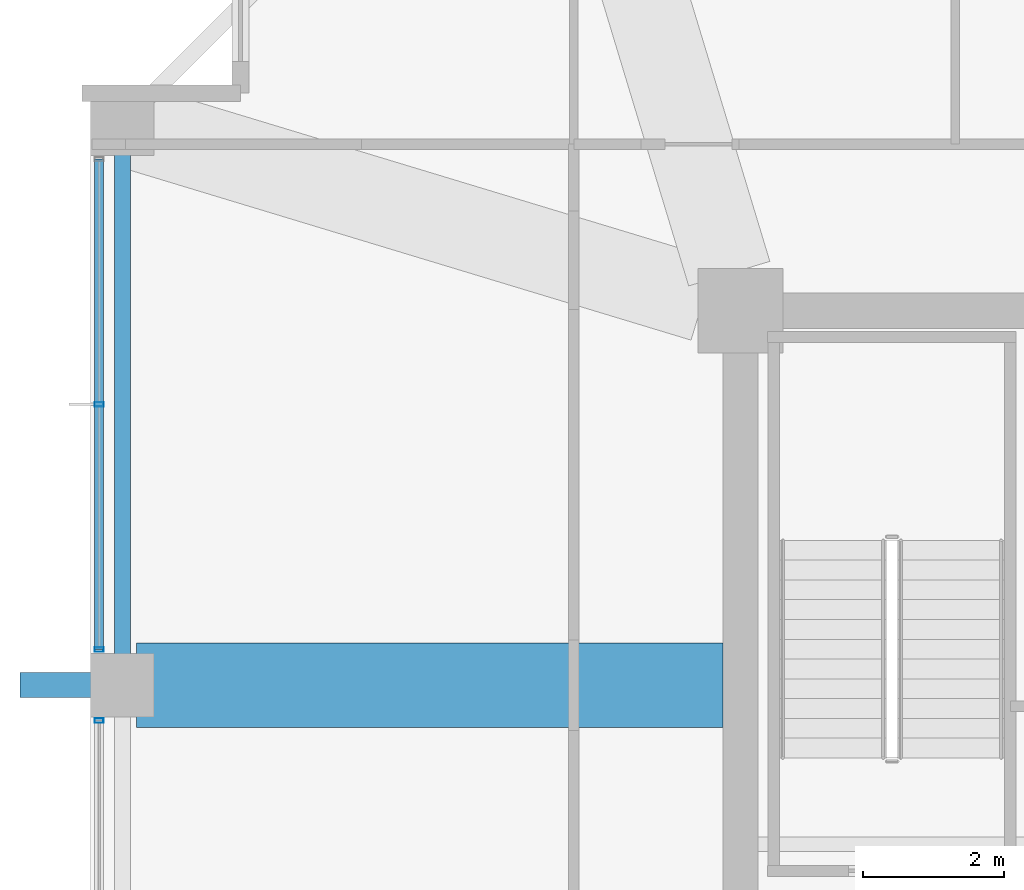
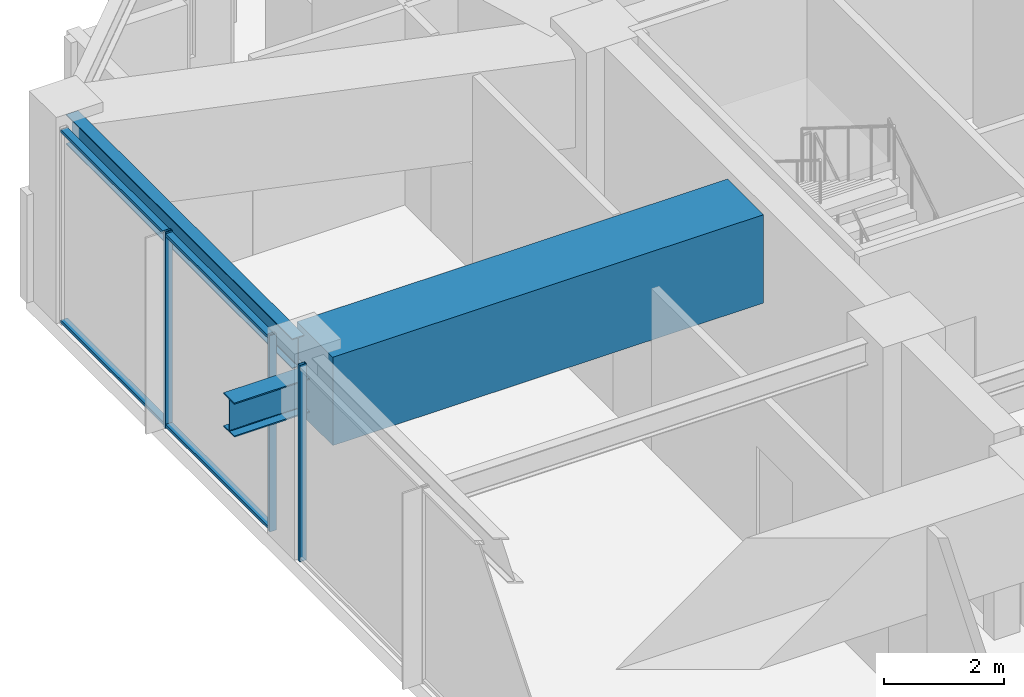
# One storey, part 10 of 33: 5 members, 3 beams, 2 elements without a shape of their own.
"""IFC4 building model written with IfcOpenShell, lengths in metres."""

from ifc_helpers import new_model, si_unit, direction, frame, origin, origin_2d, place, context, subcontext, project, spatial, rectangle, hollow_rectangle, i_section, extrude, material, material_profile, profile_set, type_object, element, aggregate, save


model = new_model("IFC4")

# Units and contexts
model_context = context("Model", 3, precision=1e-05, world=origin(), true_north=direction((0.0, 1.0)))
body_context = subcontext(model_context, "Body", "Model", "MODEL_VIEW")
ifc_project = project(units=[si_unit("LENGTHUNIT", "METRE"), si_unit("AREAUNIT", "SQUARE_METRE"), si_unit("VOLUMEUNIT", "CUBIC_METRE"), si_unit("PLANEANGLEUNIT", "RADIAN"), si_unit("MASSUNIT", "GRAM", prefix="KILO")], contexts=[model_context])

# Site, building, storey
site_placement = place(None, origin())
site = spatial("IfcSite", under=ifc_project, at=site_placement, CompositionType="ELEMENT")
building_placement = place(site_placement, origin())
building = spatial("IfcBuilding", under=site, at=building_placement, Name="Kolvaren Belvedere", CompositionType="ELEMENT")
storey_placement = place(building_placement, frame((0.0, 0.0, 152.699951171875)))
storey = spatial("IfcBuildingStorey", under=building, at=storey_placement, Name="L44", CompositionType="ELEMENT", Elevation=152.699951171875)

# Beams
ifc_material_1 = material(Name="Structural steel ASTM A992 Grade 50", Category="steel")
ifc_material_profile_1 = material_profile(ifc_material_1, i_section(OverallWidth=0.35498046875, OverallDepth=0.696044921875, WebThickness=0.015380859375, FlangeThickness=0.02490234375, FilletRadius=0.02197265625, at=origin_2d()), Name="W27X146")
ifc_profile_set_1 = profile_set([ifc_material_profile_1], Name="Structural steel ASTM A992 Grade 50")
beam_type_1 = type_object("IfcBeamType", Name="BM-CANT-BAL", PredefinedType="BEAM", material=ifc_profile_set_1)
beam_1_placement = place(storey_placement, frame((-18.64990234375, 4.60009765625, 3.0419921875), z_axis=(-1.0, 0.0, 0.0), x_axis=(0.0, -1.0, 0.0)))
element("IfcBeam", 1, at=beam_1_placement, inside=storey, type_object=beam_type_1, Name="L44 West Picture-Frame Column Corbel P", PredefinedType="BEAM", context=body_context, shape_type="SweptSolid", body=[
    extrude(i_section(OverallWidth=0.35498046875, OverallDepth=0.696044921875, WebThickness=0.015380859375, FlangeThickness=0.02490234375, FilletRadius=0.02197265625, at=origin_2d()), origin(), (0.0, 0.0, 1.0), 1.4501953125),
])
ifc_material_2 = material(Name="Structural steel ASTM A992 Grade 50", Category="steel")
ifc_material_profile_2 = material_profile(ifc_material_2, i_section(OverallWidth=0.22900390625, OverallDepth=0.612060546875, WebThickness=0.011962890625, FlangeThickness=0.01953125, FilletRadius=0.01806640625, at=origin_2d()), Name="W24X84")
ifc_profile_set_2 = profile_set([ifc_material_profile_2], Name="Structural steel ASTM A992 Grade 50")
beam_type_2 = type_object("IfcBeamType", Name="BM-SPAN-W24X84", PredefinedType="SPANDREL", material=ifc_profile_set_2)
beam_2_placement = place(storey_placement, frame((-18.64990234375, 12.347412109375, 3.694091796875), z_axis=(0.0, -1.0, 0.0), x_axis=(1.0, 0.0, 0.0)))
element("IfcBeam", 2, at=beam_2_placement, inside=storey, type_object=beam_type_2, Name="L44 Perimeter Spandrel W4-W3", PredefinedType="SPANDREL", context=body_context, shape_type="SweptSolid", body=[
    extrude(i_section(OverallWidth=0.22900390625, OverallDepth=0.612060546875, WebThickness=0.011962890625, FlangeThickness=0.01953125, FilletRadius=0.01806640625, at=origin_2d()), origin(), (0.0, 0.0, 1.0), 7.544921875),
])
ifc_material_3 = material(Name="Concrete C50/60", Category="concrete")
ifc_material_profile_3 = material_profile(ifc_material_3, rectangle(XDim=1.199951171875, YDim=1.800048828125, at=origin_2d()), Name="RC 1200X1800")
ifc_profile_set_3 = profile_set([ifc_material_profile_3], Name="Concrete C50/60")
beam_type_3 = type_object("IfcBeamType", Name="BM-TG-1800", PredefinedType="BEAM", material=ifc_profile_set_3)
beam_3_placement = place(storey_placement, frame((-10.14990234375, 4.60009765625, 3.10009765625), z_axis=(-1.0, 0.0, 0.0), x_axis=(0.0, -1.0, 0.0)))
element("IfcBeam", 3, at=beam_3_placement, inside=storey, type_object=beam_type_3, Name="L44 West Radial Girder P", PredefinedType="BEAM", context=body_context, shape_type="SweptSolid", body=[
    extrude(rectangle(XDim=1.199951171875, YDim=1.800048828125, at=origin_2d()), origin(), (0.0, 0.0, 1.0), 8.297607421875),
])

# Curtain wall, member
ifc_material_4 = material(Name="Anodised pale-metal aluminium AA 6063-T6", Category="aluminium")
curtain_wall_type = type_object("IfcCurtainWallType", Name="CW-Z3-WAIST", PredefinedType="NOTDEFINED", material=ifc_material_4)
curtain_wall_1_placement = place(storey_placement, origin())
curtain_wall_1 = element("IfcCurtainWall", 4, at=curtain_wall_1_placement, inside=storey, type_object=curtain_wall_type, Name="L44 Unitised Curtain Wall FCW-L44-W-B2", PredefinedType="NOTDEFINED")
ifc_material_5 = material(Name="Anodised pale-metal aluminium AA 6063-T6", Category="aluminium")
ifc_material_profile_4 = material_profile(ifc_material_5, hollow_rectangle(XDim=0.06494140625, YDim=0.1298828125, WallThickness=0.00390625, at=origin_2d()), Name="ALU-MUL-130X65")
ifc_profile_set_4 = profile_set([ifc_material_profile_4], Name="Anodised pale-metal aluminium AA 6063-T6")
member_type_1 = type_object("IfcMemberType", Name="CW-MUL-130", PredefinedType="MULLION", material=ifc_profile_set_4)
member_1_placement = place(storey_placement, frame((-18.97998046875, 4.097412109375, 0.0), z_axis=(0.0, 0.0, 1.0), x_axis=(0.0, 1.0, 0.0)))
member_1 = element("IfcMember", 5, at=member_1_placement, type_object=member_type_1, Name="FCW-L44-W-B2 Unitised Mullion 3", PredefinedType="MULLION", context=body_context, shape_type="SweptSolid", body=[
    extrude(hollow_rectangle(XDim=0.06494140625, YDim=0.1298828125, WallThickness=0.00390625, at=origin_2d()), origin(), (0.0, 0.0, 1.0), 4.0),
])
aggregate(curtain_wall_1, [member_1])

# Curtain wall, members
curtain_wall_2_placement = place(storey_placement, origin())
curtain_wall_2 = element("IfcCurtainWall", 6, at=curtain_wall_2_placement, inside=storey, type_object=curtain_wall_type, Name="L44 Unitised Curtain Wall FCW-L44-W-B3", PredefinedType="NOTDEFINED")
member_2_placement = place(storey_placement, frame((-18.97998046875, 5.1025390625, 0.0), z_axis=(0.0, 0.0, 1.0), x_axis=(0.0, 1.0, 0.0)))
member_2 = element("IfcMember", 7, at=member_2_placement, type_object=member_type_1, Name="FCW-L44-W-B3 Unitised Mullion 1", PredefinedType="MULLION", context=body_context, shape_type="SweptSolid", body=[
    extrude(hollow_rectangle(XDim=0.06494140625, YDim=0.1298828125, WallThickness=0.00390625, at=origin_2d()), origin(), (0.0, 0.0, 1.0), 4.0),
])
member_3_placement = place(storey_placement, frame((-18.97998046875, 8.574951171875, 0.0), z_axis=(0.0, 0.0, 1.0), x_axis=(0.0, 1.0, 0.0)))
member_3 = element("IfcMember", 8, at=member_3_placement, type_object=member_type_1, Name="FCW-L44-W-B3 Unitised Mullion 2", PredefinedType="MULLION", context=body_context, shape_type="SweptSolid", body=[
    extrude(hollow_rectangle(XDim=0.06494140625, YDim=0.1298828125, WallThickness=0.00390625, at=origin_2d()), origin(), (0.0, 0.0, 1.0), 4.0),
])
ifc_material_6 = material(Name="Anodised pale-metal aluminium AA 6063-T6", Category="aluminium")
ifc_material_profile_5 = material_profile(ifc_material_6, hollow_rectangle(XDim=0.06005859375, YDim=0.1298828125, WallThickness=0.00390625, at=origin_2d()), Name="ALU-TRN-130X60")
ifc_profile_set_5 = profile_set([ifc_material_profile_5], Name="Anodised pale-metal aluminium AA 6063-T6")
member_type_2 = type_object("IfcMemberType", Name="CW-TRN-130", PredefinedType="USERDEFINED", material=ifc_profile_set_5)
member_4_placement = place(storey_placement, frame((-18.97998046875, 5.1025390625, 0.06005859375), z_axis=(0.0, 1.0, 0.0), x_axis=(0.0, 0.0, 1.0)))
member_4 = element("IfcMember", 9, at=member_4_placement, type_object=member_type_2, Name="FCW-L44-W-B3 Sill Transom", ObjectType="TRANSOM", PredefinedType="USERDEFINED", context=body_context, shape_type="SweptSolid", body=[
    extrude(hollow_rectangle(XDim=0.06005859375, YDim=0.1298828125, WallThickness=0.00390625, at=origin_2d()), origin(), (0.0, 0.0, 1.0), 6.945068359375),
])
member_5_placement = place(storey_placement, frame((-18.97998046875, 5.1025390625, 3.93994140625), z_axis=(0.0, 1.0, 0.0), x_axis=(0.0, 0.0, 1.0)))
member_5 = element("IfcMember", 10, at=member_5_placement, type_object=member_type_2, Name="FCW-L44-W-B3 Head Transom", ObjectType="TRANSOM", PredefinedType="USERDEFINED", context=body_context, shape_type="SweptSolid", body=[
    extrude(hollow_rectangle(XDim=0.06005859375, YDim=0.1298828125, WallThickness=0.00390625, at=origin_2d()), origin(), (0.0, 0.0, 1.0), 6.945068359375),
])
aggregate(curtain_wall_2, [member_2, member_3, member_4, member_5])

save(model, "model.ifc")
